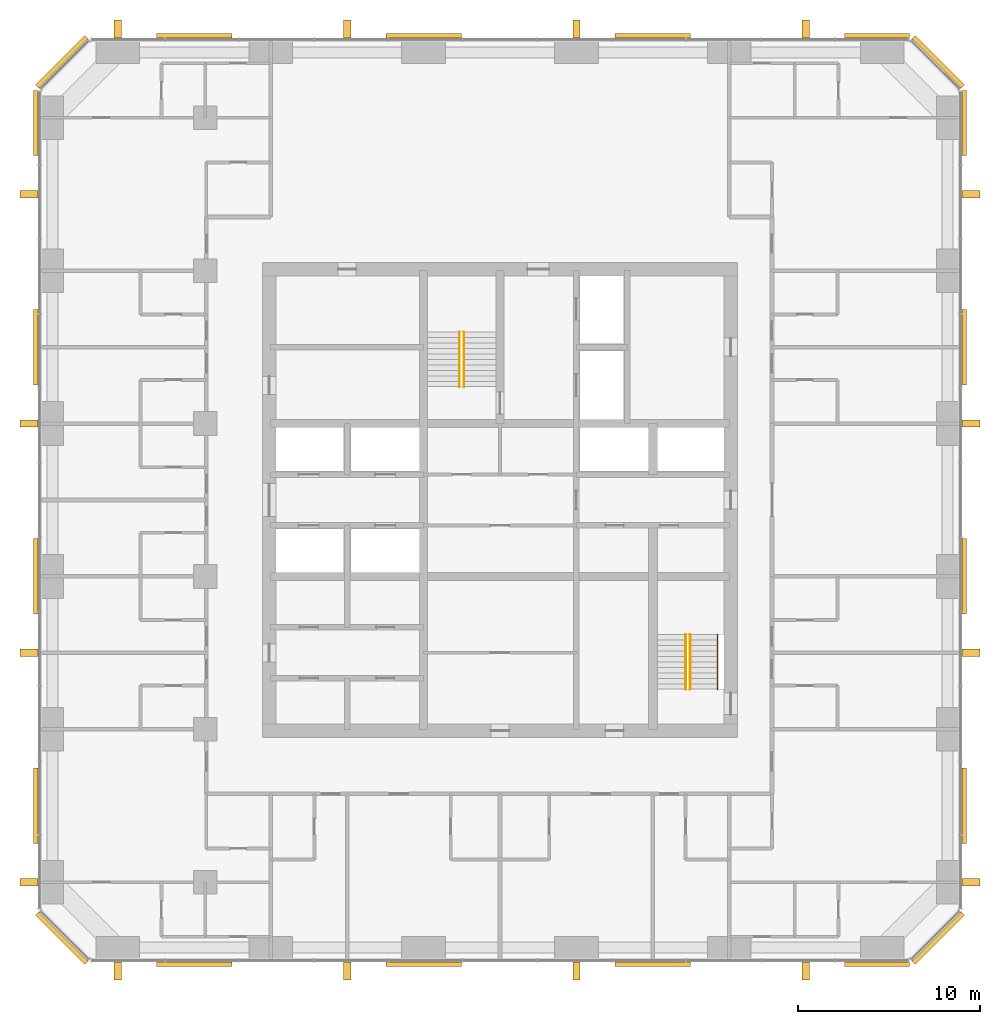
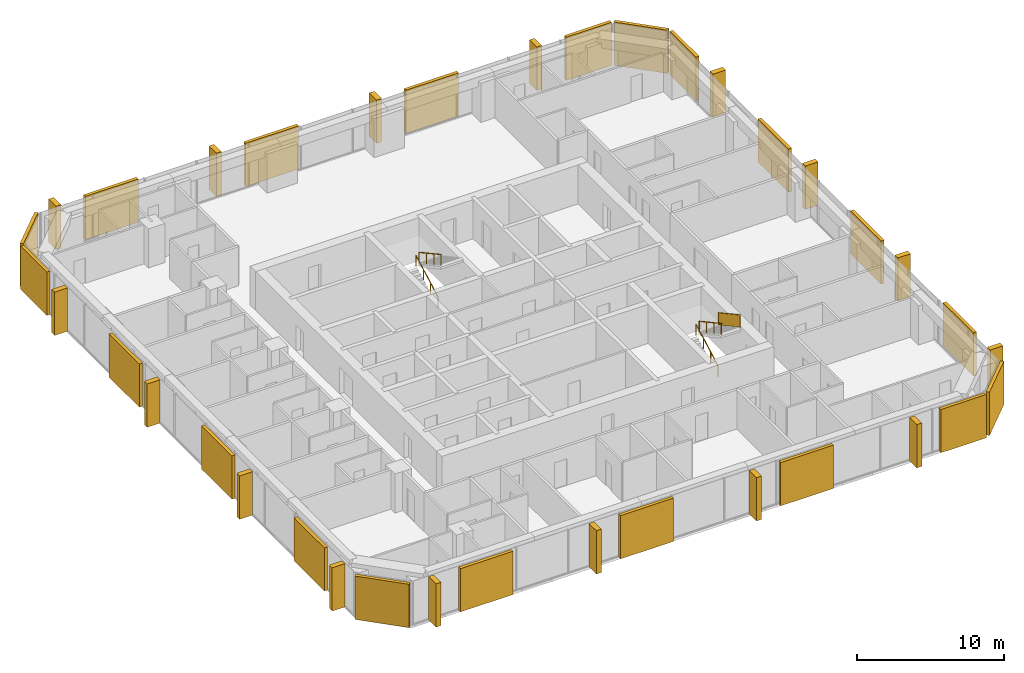
# One storey, part 13 of 13: 20 coverings, 16 shading devices, 5 railings.
"""IFC4 building model written with IfcOpenShell, lengths in metres."""

from ifc_helpers import new_model, si_unit, direction, frame, origin, origin_2d, place, context, subcontext, project, spatial, polyline, rectangle, circle, outline, extrude, material, layer, layer_set, type_object, element, save


model = new_model("IFC4")

# Units and contexts
model_context = context("Model", 3, precision=1e-05, world=origin(), true_north=direction((0.0, 1.0)))
body_context = subcontext(model_context, "Body", "Model", "MODEL_VIEW")
ifc_project = project(units=[si_unit("LENGTHUNIT", "METRE"), si_unit("AREAUNIT", "SQUARE_METRE"), si_unit("VOLUMEUNIT", "CUBIC_METRE"), si_unit("PLANEANGLEUNIT", "RADIAN"), si_unit("MASSUNIT", "GRAM", prefix="KILO")], contexts=[model_context])

# Site, building, storey
site_placement = place(None, origin())
site = spatial("IfcSite", under=ifc_project, at=site_placement, CompositionType="ELEMENT")
building_placement = place(site_placement, origin())
building = spatial("IfcBuilding", under=site, at=building_placement, Name="Dunama Terrace Hotel", CompositionType="ELEMENT")
storey_placement = place(building_placement, frame((0.0, 0.0, 173.39990234375)))
storey = spatial("IfcBuildingStorey", under=building, at=storey_placement, Name="L44", CompositionType="ELEMENT", Elevation=173.39990234375)

# Railings
ifc_material_1 = material(Name="Stainless steel and laminated glass guard", Category="steel")
railing_type_1 = type_object("IfcRailingType", Name="Guard 1100", PredefinedType="GUARDRAIL", material=ifc_material_1)
railing_1_placement = place(storey_placement, frame((41.35009765625, 22.0, 1.963623046875)))
element("IfcRailing", 1, at=railing_1_placement, inside=storey, type_object=railing_type_1, Name="Stair guard ST2 L44", PredefinedType="GUARDRAIL", context=body_context, shape_type="SweptSolid", body=[
    extrude(circle(Radius=0.02392578125, at=origin_2d()), frame((0.0, 0.0, 1.076171875), z_axis=(0.0, -0.877881921179, 0.478877158013), x_axis=(1.0, 0.0, 0.0)), (0.0, 0.0, 1.0), 3.417236328125),
    extrude(circle(Radius=0.02099609375, at=origin_2d()), origin(), (0.0, 0.0, 1.0), 1.052001953125),
    extrude(circle(Radius=0.02099609375, at=origin_2d()), frame((0.0, -1.0, 0.54541015625)), (0.0, 0.0, 1.0), 1.052001953125),
    extrude(circle(Radius=0.02099609375, at=origin_2d()), frame((0.0, -2.0, 1.091064453125)), (0.0, 0.0, 1.0), 1.052001953125),
    extrude(circle(Radius=0.02099609375, at=origin_2d()), frame((0.0, -3.0, 1.636474609375)), (0.0, 0.0, 1.0), 1.052001953125),
    extrude(outline(polyline([(0.0048828125, 0.052734375), (0.9951171875, 0.5927734375), (0.9951171875, 1.618896484375), (0.0048828125, 1.07861328125), (0.0048828125, 0.052734375)])), frame((0.0087890625, 0.0, 0.0), z_axis=(-1.0, 0.0, 0.0), x_axis=(0.0, -1.0, 0.0)), (0.0, 0.0, 1.0), 0.017578125),
    extrude(outline(polyline([(0.0048828125, 0.052734375), (0.9951171875, 0.5927734375), (0.9951171875, 1.618896484375), (0.0048828125, 1.07861328125), (0.0048828125, 0.052734375)])), frame((0.0087890625, -1.0, 0.54541015625), z_axis=(-1.0, 0.0, 0.0), x_axis=(0.0, -1.0, 0.0)), (0.0, 0.0, 1.0), 0.017578125),
    extrude(outline(polyline([(0.0048828125, 0.052734375), (0.9951171875, 0.5927734375), (0.9951171875, 1.618896484375), (0.0048828125, 1.07861328125), (0.0048828125, 0.052734375)])), frame((0.0087890625, -2.0, 1.091064453125), z_axis=(-1.0, 0.0, 0.0), x_axis=(0.0, -1.0, 0.0)), (0.0, 0.0, 1.0), 0.017578125),
])
ifc_material_2 = material(Name="Stainless steel handrail", Category="steel")
railing_type_2 = type_object("IfcRailingType", Name="Stair handrail 900", PredefinedType="HANDRAIL", material=ifc_material_2)
railing_2_placement = place(storey_placement, frame((27.175048828125, 35.625, 0.163818359375)))
element("IfcRailing", 2, at=railing_2_placement, inside=storey, type_object=railing_type_2, Name="Handrail ST1 L44", PredefinedType="HANDRAIL", context=body_context, shape_type="SweptSolid", body=[
    extrude(circle(Radius=0.02392578125, at=origin_2d()), frame((0.0, 0.0, 0.8759765625), z_axis=(0.0, 0.877911954615, 0.47882209634), x_axis=(-1.0, 0.0, 0.0)), (0.0, 0.0, 1.0), 3.417236328125),
    extrude(circle(Radius=0.02099609375, at=origin_2d()), origin(), (0.0, 0.0, 1.0), 0.851806640625),
    extrude(circle(Radius=0.02099609375, at=origin_2d()), frame((0.0, 1.0, 0.54541015625)), (0.0, 0.0, 1.0), 0.851806640625),
    extrude(circle(Radius=0.02099609375, at=origin_2d()), frame((0.0, 2.0, 1.0908203125)), (0.0, 0.0, 1.0), 0.851806640625),
    extrude(circle(Radius=0.02099609375, at=origin_2d()), frame((0.0, 3.0, 1.63623046875)), (0.0, 0.0, 1.0), 0.851806640625),
])
railing_3_placement = place(storey_placement, frame((27.425048828125, 38.625, 1.963623046875)))
element("IfcRailing", 3, at=railing_3_placement, inside=storey, type_object=railing_type_2, Name="Handrail ST1 L44", PredefinedType="HANDRAIL", context=body_context, shape_type="SweptSolid", body=[
    extrude(circle(Radius=0.02392578125, at=origin_2d()), frame((0.0, 0.0, 0.8759765625), z_axis=(0.0, -0.877881921179, 0.478877158013), x_axis=(1.0, 0.0, 0.0)), (0.0, 0.0, 1.0), 3.417236328125),
    extrude(circle(Radius=0.02099609375, at=origin_2d()), origin(), (0.0, 0.0, 1.0), 0.851806640625),
    extrude(circle(Radius=0.02099609375, at=origin_2d()), frame((0.0, -1.0, 0.54541015625)), (0.0, 0.0, 1.0), 0.851806640625),
    extrude(circle(Radius=0.02099609375, at=origin_2d()), frame((0.0, -2.0, 1.091064453125)), (0.0, 0.0, 1.0), 0.851806640625),
    extrude(circle(Radius=0.02099609375, at=origin_2d()), frame((0.0, -3.0, 1.636474609375)), (0.0, 0.0, 1.0), 0.851806640625),
])
railing_4_placement = place(storey_placement, frame((39.60009765625, 19.0, 0.163818359375)))
element("IfcRailing", 4, at=railing_4_placement, inside=storey, type_object=railing_type_2, Name="Handrail ST2 L44", PredefinedType="HANDRAIL", context=body_context, shape_type="SweptSolid", body=[
    extrude(circle(Radius=0.02392578125, at=origin_2d()), frame((0.0, 0.0, 0.8759765625), z_axis=(0.0, 0.877911954615, 0.47882209634), x_axis=(-1.0, 0.0, 0.0)), (0.0, 0.0, 1.0), 3.417236328125),
    extrude(circle(Radius=0.02099609375, at=origin_2d()), origin(), (0.0, 0.0, 1.0), 0.851806640625),
    extrude(circle(Radius=0.02099609375, at=origin_2d()), frame((0.0, 1.0, 0.54541015625)), (0.0, 0.0, 1.0), 0.851806640625),
    extrude(circle(Radius=0.02099609375, at=origin_2d()), frame((0.0, 2.0, 1.0908203125)), (0.0, 0.0, 1.0), 0.851806640625),
    extrude(circle(Radius=0.02099609375, at=origin_2d()), frame((0.0, 3.0, 1.63623046875)), (0.0, 0.0, 1.0), 0.851806640625),
])
railing_5_placement = place(storey_placement, frame((39.85009765625, 22.0, 1.963623046875)))
element("IfcRailing", 5, at=railing_5_placement, inside=storey, type_object=railing_type_2, Name="Handrail ST2 L44", PredefinedType="HANDRAIL", context=body_context, shape_type="SweptSolid", body=[
    extrude(circle(Radius=0.02392578125, at=origin_2d()), frame((0.0, 0.0, 0.8759765625), z_axis=(0.0, -0.877881921179, 0.478877158013), x_axis=(1.0, 0.0, 0.0)), (0.0, 0.0, 1.0), 3.417236328125),
    extrude(circle(Radius=0.02099609375, at=origin_2d()), origin(), (0.0, 0.0, 1.0), 0.851806640625),
    extrude(circle(Radius=0.02099609375, at=origin_2d()), frame((0.0, -1.0, 0.54541015625)), (0.0, 0.0, 1.0), 0.851806640625),
    extrude(circle(Radius=0.02099609375, at=origin_2d()), frame((0.0, -2.0, 1.091064453125)), (0.0, 0.0, 1.0), 0.851806640625),
    extrude(circle(Radius=0.02099609375, at=origin_2d()), frame((0.0, -3.0, 1.636474609375)), (0.0, 0.0, 1.0), 0.851806640625),
])

# Coverings
ifc_material_3 = material(Name="Warm reconstituted stone panel", Category="masonry")
ifc_layer_1 = layer(ifc_material_3, 0.25)
ifc_layer_set_1 = layer_set([ifc_layer_1], Name="Stone diagonal panel")
covering_type = type_object("IfcCoveringType", Name="Stone diagonal panel", PredefinedType="CLADDING", material=ifc_layer_set_1)
for number, where, z_axis, x_axis, name in (
    (6, (12.60009765625, 3.876953125, 0.001953125), (0.0, 0.0, 1.0), (1.0, 0.0, 0.0), "Stone diagonal panel L44"),
    (7, (25.199951171875, 3.876953125, 0.001953125), (0.0, 0.0, 1.0), (1.0, 0.0, 0.0), "Stone diagonal panel L44"),
    (8, (37.800048828125, 3.876953125, 0.001953125), (0.0, 0.0, 1.0), (1.0, 0.0, 0.0), "Stone diagonal panel L44"),
):
    element("IfcCovering", number, at=place(storey_placement, frame(where, z_axis=z_axis, x_axis=x_axis)), inside=storey, type_object=covering_type, Name=name, PredefinedType="CLADDING", context=body_context, shape_type="SweptSolid", body=[
        extrude(rectangle(XDim=4.14990234375, YDim=0.25, at=origin_2d()), origin(), (0.0, 0.0, 1.0), 3.595947265625),
    ])
covering_1_placement = place(storey_placement, frame((50.110107421875, 3.876953125, 0.001953125), z_axis=(0.0, 0.0, 1.0), x_axis=(1.0, 0.0, 0.0)))
element("IfcCovering", 9, at=covering_1_placement, inside=storey, type_object=covering_type, Name="Stone diagonal panel L44", PredefinedType="CLADDING", context=body_context, shape_type="SweptSolid", body=[
    extrude(rectangle(XDim=3.570068359375, YDim=0.25, at=origin_2d()), origin(), (0.0, 0.0, 1.0), 3.595947265625),
])
covering_2_placement = place(storey_placement, frame((53.47900390625, 5.321044921875, 0.001953125), z_axis=(0.0, 0.0, 1.0), x_axis=(0.707106781187, 0.707106781187, 0.0)))
element("IfcCovering", 10, at=covering_2_placement, inside=storey, type_object=covering_type, Name="Stone diagonal panel L44", PredefinedType="CLADDING", context=body_context, shape_type="SweptSolid", body=[
    extrude(rectangle(XDim=3.808349609375, YDim=0.25, at=origin_2d()), origin(), (0.0, 0.0, 1.0), 3.595947265625),
])
for number, where, z_axis, x_axis, name in (
    (11, (54.923095703125, 12.60009765625, 0.001953125), (0.0, 0.0, 1.0), (0.0, 1.0, 0.0), "Stone diagonal panel L44"),
    (12, (54.923095703125, 25.199951171875, 0.001953125), (0.0, 0.0, 1.0), (0.0, 1.0, 0.0), "Stone diagonal panel L44"),
    (13, (54.923095703125, 37.800048828125, 0.001953125), (0.0, 0.0, 1.0), (0.0, 1.0, 0.0), "Stone diagonal panel L44"),
):
    element("IfcCovering", number, at=place(storey_placement, frame(where, z_axis=z_axis, x_axis=x_axis)), inside=storey, type_object=covering_type, Name=name, PredefinedType="CLADDING", context=body_context, shape_type="SweptSolid", body=[
        extrude(rectangle(XDim=4.14990234375, YDim=0.25, at=origin_2d()), origin(), (0.0, 0.0, 1.0), 3.595947265625),
    ])
covering_3_placement = place(storey_placement, frame((54.923095703125, 50.110107421875, 0.001953125), z_axis=(0.0, 0.0, 1.0), x_axis=(0.0, 1.0, 0.0)))
element("IfcCovering", 14, at=covering_3_placement, inside=storey, type_object=covering_type, Name="Stone diagonal panel L44", PredefinedType="CLADDING", context=body_context, shape_type="SweptSolid", body=[
    extrude(rectangle(XDim=3.570068359375, YDim=0.25, at=origin_2d()), origin(), (0.0, 0.0, 1.0), 3.595947265625),
])
covering_4_placement = place(storey_placement, frame((53.47900390625, 53.47900390625, 0.001953125), z_axis=(0.0, 0.0, 1.0), x_axis=(-0.707106781187, 0.707106781187, 0.0)))
element("IfcCovering", 15, at=covering_4_placement, inside=storey, type_object=covering_type, Name="Stone diagonal panel L44", PredefinedType="CLADDING", context=body_context, shape_type="SweptSolid", body=[
    extrude(rectangle(XDim=3.808349609375, YDim=0.25, at=origin_2d()), origin(), (0.0, 0.0, 1.0), 3.595947265625),
])
covering_5_placement = place(storey_placement, frame((50.110107421875, 54.923095703125, 0.001953125), z_axis=(0.0, 0.0, 1.0), x_axis=(-1.0, 0.0, 0.0)))
element("IfcCovering", 16, at=covering_5_placement, inside=storey, type_object=covering_type, Name="Stone diagonal panel L44", PredefinedType="CLADDING", context=body_context, shape_type="SweptSolid", body=[
    extrude(rectangle(XDim=3.570068359375, YDim=0.25, at=origin_2d()), origin(), (0.0, 0.0, 1.0), 3.595947265625),
])
for number, where, z_axis, x_axis, name in (
    (17, (37.800048828125, 54.923095703125, 0.001953125), (0.0, 0.0, 1.0), (-1.0, 0.0, 0.0), "Stone diagonal panel L44"),
    (18, (25.199951171875, 54.923095703125, 0.001953125), (0.0, 0.0, 1.0), (-1.0, 0.0, 0.0), "Stone diagonal panel L44"),
    (19, (12.60009765625, 54.923095703125, 0.001953125), (0.0, 0.0, 1.0), (-1.0, 0.0, 0.0), "Stone diagonal panel L44"),
):
    element("IfcCovering", number, at=place(storey_placement, frame(where, z_axis=z_axis, x_axis=x_axis)), inside=storey, type_object=covering_type, Name=name, PredefinedType="CLADDING", context=body_context, shape_type="SweptSolid", body=[
        extrude(rectangle(XDim=4.14990234375, YDim=0.25, at=origin_2d()), origin(), (0.0, 0.0, 1.0), 3.595947265625),
    ])
covering_6_placement = place(storey_placement, frame((5.321044921875, 53.47900390625, 0.001953125), z_axis=(0.0, 0.0, 1.0), x_axis=(-0.707106781187, -0.707106781187, 0.0)))
element("IfcCovering", 20, at=covering_6_placement, inside=storey, type_object=covering_type, Name="Stone diagonal panel L44", PredefinedType="CLADDING", context=body_context, shape_type="SweptSolid", body=[
    extrude(rectangle(XDim=3.808349609375, YDim=0.25, at=origin_2d()), origin(), (0.0, 0.0, 1.0), 3.595947265625),
])
covering_7_placement = place(storey_placement, frame((3.876953125, 50.110107421875, 0.001953125), z_axis=(0.0, 0.0, 1.0), x_axis=(0.0, -1.0, 0.0)))
element("IfcCovering", 21, at=covering_7_placement, inside=storey, type_object=covering_type, Name="Stone diagonal panel L44", PredefinedType="CLADDING", context=body_context, shape_type="SweptSolid", body=[
    extrude(rectangle(XDim=3.570068359375, YDim=0.25, at=origin_2d()), origin(), (0.0, 0.0, 1.0), 3.595947265625),
])
for number, where, z_axis, x_axis, name in (
    (22, (3.876953125, 37.800048828125, 0.001953125), (0.0, 0.0, 1.0), (0.0, -1.0, 0.0), "Stone diagonal panel L44"),
    (23, (3.876953125, 25.199951171875, 0.001953125), (0.0, 0.0, 1.0), (0.0, -1.0, 0.0), "Stone diagonal panel L44"),
    (24, (3.876953125, 12.60009765625, 0.001953125), (0.0, 0.0, 1.0), (0.0, -1.0, 0.0), "Stone diagonal panel L44"),
):
    element("IfcCovering", number, at=place(storey_placement, frame(where, z_axis=z_axis, x_axis=x_axis)), inside=storey, type_object=covering_type, Name=name, PredefinedType="CLADDING", context=body_context, shape_type="SweptSolid", body=[
        extrude(rectangle(XDim=4.14990234375, YDim=0.25, at=origin_2d()), origin(), (0.0, 0.0, 1.0), 3.595947265625),
    ])
covering_8_placement = place(storey_placement, frame((5.321044921875, 5.321044921875, 0.001953125), z_axis=(0.0, 0.0, 1.0), x_axis=(0.707106781187, -0.707106781187, 0.0)))
element("IfcCovering", 25, at=covering_8_placement, inside=storey, type_object=covering_type, Name="Stone diagonal panel L44", PredefinedType="CLADDING", context=body_context, shape_type="SweptSolid", body=[
    extrude(rectangle(XDim=3.808349609375, YDim=0.25, at=origin_2d()), origin(), (0.0, 0.0, 1.0), 3.595947265625),
])

# Shading devices
ifc_material_4 = material(Name="Warm reconstituted stone fin", Category="masonry")
ifc_layer_2 = layer(ifc_material_4, 0.39990234375)
ifc_layer_set_2 = layer_set([ifc_layer_2], Name="Warm stone fin 400x1000")
shading_device_type = type_object("IfcShadingDeviceType", Name="Warm stone fin 400x1000", PredefinedType="USERDEFINED", material=ifc_layer_set_2)
for number, where, z_axis, x_axis, name in (
    (26, (8.39990234375, 3.52197265625, 0.0), (0.0, 0.0, 1.0), (1.0, 0.0, 0.0), "Stone fin"),
    (27, (21.0, 3.52197265625, 0.0), (0.0, 0.0, 1.0), (1.0, 0.0, 0.0), "Stone fin"),
    (28, (33.60009765625, 3.52197265625, 0.0), (0.0, 0.0, 1.0), (1.0, 0.0, 0.0), "Stone fin"),
    (29, (46.199951171875, 3.52197265625, 0.0), (0.0, 0.0, 1.0), (1.0, 0.0, 0.0), "Stone fin"),
    (30, (55.278076171875, 8.39990234375, 0.0), (0.0, 0.0, 1.0), (0.0, 1.0, 0.0), "Stone fin"),
    (31, (55.278076171875, 21.0, 0.0), (0.0, 0.0, 1.0), (0.0, 1.0, 0.0), "Stone fin"),
    (32, (55.278076171875, 33.60009765625, 0.0), (0.0, 0.0, 1.0), (0.0, 1.0, 0.0), "Stone fin"),
    (33, (55.278076171875, 46.199951171875, 0.0), (0.0, 0.0, 1.0), (0.0, 1.0, 0.0), "Stone fin"),
    (34, (46.199951171875, 55.278076171875, 0.0), (0.0, 0.0, 1.0), (-1.0, 0.0, 0.0), "Stone fin"),
    (35, (33.60009765625, 55.278076171875, 0.0), (0.0, 0.0, 1.0), (-1.0, 0.0, 0.0), "Stone fin"),
    (36, (21.0, 55.278076171875, 0.0), (0.0, 0.0, 1.0), (-1.0, 0.0, 0.0), "Stone fin"),
    (37, (8.39990234375, 55.278076171875, 0.0), (0.0, 0.0, 1.0), (-1.0, 0.0, 0.0), "Stone fin"),
    (38, (3.52197265625, 46.199951171875, 0.0), (0.0, 0.0, 1.0), (0.0, -1.0, 0.0), "Stone fin"),
    (39, (3.52197265625, 33.60009765625, 0.0), (0.0, 0.0, 1.0), (0.0, -1.0, 0.0), "Stone fin"),
    (40, (3.52197265625, 21.0, 0.0), (0.0, 0.0, 1.0), (0.0, -1.0, 0.0), "Stone fin"),
    (41, (3.52197265625, 8.39990234375, 0.0), (0.0, 0.0, 1.0), (0.0, -1.0, 0.0), "Stone fin"),
):
    element("IfcShadingDevice", number, at=place(storey_placement, frame(where, z_axis=z_axis, x_axis=x_axis)), inside=storey, type_object=shading_device_type, Name=name, ObjectType="FIN", PredefinedType="USERDEFINED", context=body_context, shape_type="SweptSolid", body=[
        extrude(rectangle(XDim=0.39990234375, YDim=1.0, at=origin_2d()), origin(), (0.0, 0.0, 1.0), 3.60009765625),
    ])

save(model, "model.ifc")
